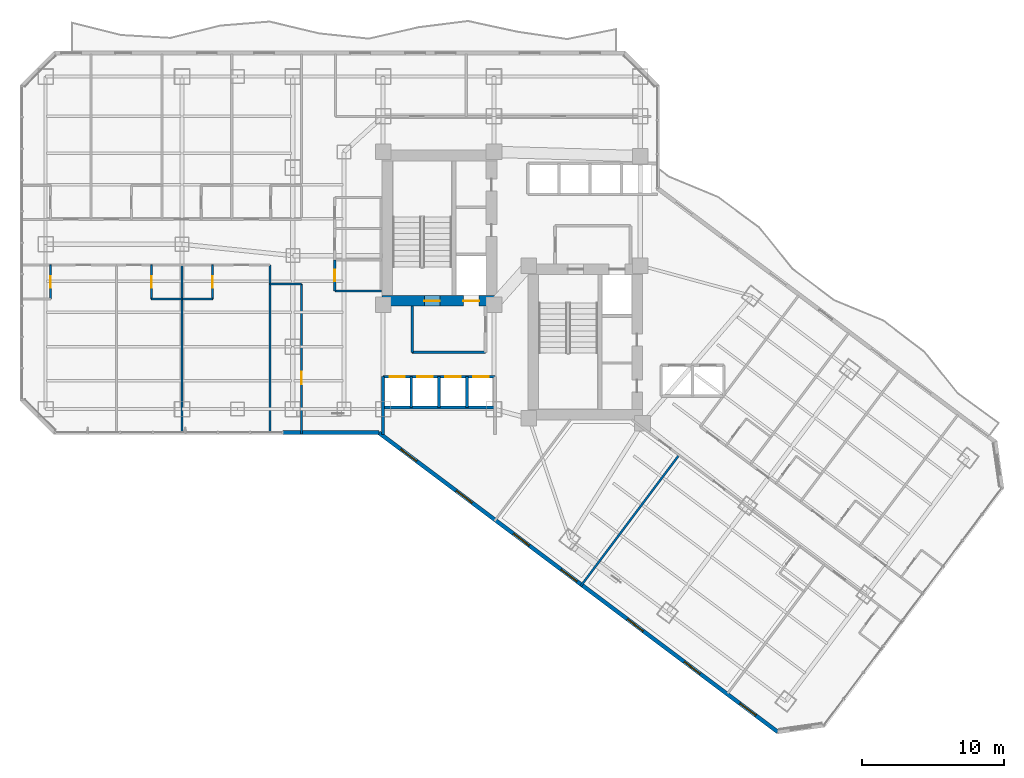
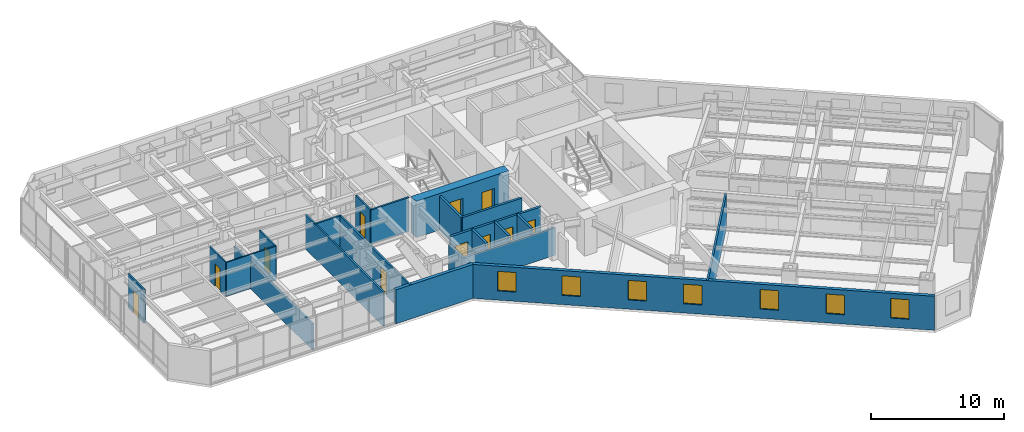
# One storey, part 22 of 32: 23 walls, 11 doors, 7 windows, 18 openings.
"""IFC4 building model written with IfcOpenShell, lengths in metres."""

import ifcopenshell
import ifcopenshell.guid

model = None  # the IFC model being written
_history = None  # IfcOwnerHistory: only IFC2X3 demands one
_inside = {}  # id of a spatial element -> (the spatial element, [elements in it])
_under = {}  # id of a project, library or spatial element -> (it, [spatial elements below it])
_declared = {}  # id of a project -> (the project, [libraries it declares])
_typed = {}  # id of a type object -> (the type object, [elements of that type])
_made_of = {}  # id of a material, layer set ... -> (it, [elements and type objects made of it])


def new_model(schema):
    """Start an empty IFC model of exactly this schema.

    Asked for "IFC4X3", IfcOpenShell would pick the latest addendum, in which some entities
    have other attributes; the version numbers below select the first issue.
    IFC2X3 requires an IfcOwnerHistory on every rooted entity: one is made here for all.
    """
    global model, _history
    if schema == "IFC4X3":
        model = ifcopenshell.file(schema_version=(4, 3, 0, 0))
    else:
        model = ifcopenshell.file(schema=schema)
    _inside.clear()
    _under.clear()
    _declared.clear()
    _typed.clear()
    _made_of.clear()
    _history = None
    if model.schema == "IFC2X3":
        org = make("IfcOrganization", Name="unknown")
        user = make(
            "IfcPersonAndOrganization",
            ThePerson=make("IfcPerson", FamilyName="unknown"),
            TheOrganization=org,
        )
        app = make(
            "IfcApplication",
            ApplicationDeveloper=org,
            Version="unknown",
            ApplicationFullName="unknown",
            ApplicationIdentifier="unknown",
        )
        _history = make(
            "IfcOwnerHistory",
            OwningUser=user,
            OwningApplication=app,
            ChangeAction="ADDED",
            CreationDate=0,
        )
    return model


def make(cls, **values):
    """One entity of the class cls with the attributes given. An attribute that is None is left unset."""
    return model.create_entity(
        cls, **{name: value for name, value in values.items() if value is not None}
    )


def rooted(cls, **values):
    """An entity with a GlobalId (a new one), such as an element, a storey or a relation."""
    return make(cls, GlobalId=ifcopenshell.guid.new(), OwnerHistory=_history, **values)


def si_unit(unit_type, name, prefix=None):
    """IfcSIUnit, for example si_unit("LENGTHUNIT", "METRE", prefix="MILLI")."""
    return make("IfcSIUnit", UnitType=unit_type, Prefix=prefix, Name=name)


def assignment(units):
    """IfcUnitAssignment: the units of a project."""
    return None if units is None else make("IfcUnitAssignment", Units=units)


def point(xyz):
    """IfcCartesianPoint."""
    return None if xyz is None else make("IfcCartesianPoint", Coordinates=xyz)


def direction(xyz):
    """IfcDirection."""
    return None if xyz is None else make("IfcDirection", DirectionRatios=xyz)


def frame(location, z_axis=None, x_axis=None):
    """IfcAxis2Placement3D, a coordinate frame: its origin and axes. An axis left out is left unset."""
    return make(
        "IfcAxis2Placement3D",
        Location=point(location),
        Axis=direction(z_axis),
        RefDirection=direction(x_axis),
    )


def frame_2d(location, x_axis=None):
    """IfcAxis2Placement2D, a coordinate frame in the plane: its origin and x axis."""
    return make(
        "IfcAxis2Placement2D", Location=point(location), RefDirection=direction(x_axis)
    )


def origin():
    """The frame at (0, 0, 0) with its axes left unset."""
    return frame((0.0, 0.0, 0.0))


def place(relative_to, where):
    """IfcLocalPlacement: puts the frame where relative to a parent placement (None: the world)."""
    return make(
        "IfcLocalPlacement", PlacementRelTo=relative_to, RelativePlacement=where
    )


def context(
    kind, dimensions, precision=None, world=None, true_north=None, identifier=None
):
    """IfcGeometricRepresentationContext, for example the 3D "Model" context."""
    return make(
        "IfcGeometricRepresentationContext",
        ContextIdentifier=identifier,
        ContextType=kind,
        CoordinateSpaceDimension=dimensions,
        Precision=precision,
        WorldCoordinateSystem=world,
        TrueNorth=true_north,
    )


def subcontext(parent, identifier, kind, view, scale=None):
    """IfcGeometricRepresentationSubContext, for example "Body" below "Model"."""
    return make(
        "IfcGeometricRepresentationSubContext",
        ContextIdentifier=identifier,
        ContextType=kind,
        ParentContext=parent,
        TargetScale=scale,
        TargetView=view,
    )


def project(units=None, contexts=None):
    """IfcProject with its units and contexts."""
    return rooted(
        "IfcProject",
        Name="project",
        RepresentationContexts=contexts,
        UnitsInContext=assignment(units),
    )


def spatial(cls, under=None, at=None, **own):
    """A site, building, storey or space (cls), placed at a placement, below another one or the project."""
    s = rooted(cls, ObjectPlacement=at, **own)
    if under is not None:
        _under.setdefault(under.id(), (under, []))[1].append(s)
    return s


def profile(cls, at=None, kind="AREA", **sizes):
    """A parametric profile (cls). Its sizes go by their IFC names, for example OverallWidth=200.0."""
    return make(cls, ProfileType=kind, Position=at, **sizes)


def rectangle(**sizes):
    """IfcRectangleProfileDef."""
    return profile("IfcRectangleProfileDef", **sizes)


def extrude(swept, where, along, depth):
    """IfcExtrudedAreaSolid: the profile swept, set in the frame where, extruded along a direction by depth."""
    return make(
        "IfcExtrudedAreaSolid",
        SweptArea=swept,
        Position=where,
        ExtrudedDirection=direction(along),
        Depth=depth,
    )


def shape(context_of_items, identifier, shape_type, items):
    """IfcShapeRepresentation: the items that make up one representation, for example the "Body"."""
    return make(
        "IfcShapeRepresentation",
        ContextOfItems=context_of_items,
        RepresentationIdentifier=identifier,
        RepresentationType=shape_type,
        Items=items,
    )


def material(Name=None, Category=None):
    """IfcMaterial."""
    return make("IfcMaterial", Name=Name, Category=Category)


def layer(
    of_material, thickness, ventilated=None, Name=None, Category=None, Priority=None
):
    """IfcMaterialLayer: one layer of a wall or slab, of a material (None: an air gap)."""
    return make(
        "IfcMaterialLayer",
        Material=of_material,
        LayerThickness=thickness,
        IsVentilated=ventilated,
        Name=Name,
        Category=Category,
        Priority=Priority,
    )


def layer_set(layers, Name=None):
    """IfcMaterialLayerSet."""
    return make("IfcMaterialLayerSet", MaterialLayers=layers, LayerSetName=Name)


def made_of(thing, what):
    """Note that an element or type object is made of a material, layer set ...; save() writes the relation."""
    if what is not None:
        _made_of.setdefault(what.id(), (what, []))[1].append(thing)
    return thing


def type_object(cls, material=None, **own):
    """A type object (cls), such as IfcWallType, which elements share."""
    return made_of(rooted(cls, **own), material)


def element(
    cls,
    number,
    at=None,
    inside=None,
    cuts=None,
    type_object=None,
    material=None,
    context=None,
    identifier="Body",
    shape_type=None,
    held_by="IfcProductDefinitionShape",
    body=None,
    shapes=None,
    **own,
):
    """One element of the class cls, such as IfcWall. Its Tag is "e" and its number.

    at: its placement. inside: the storey or other place that contains it. cuts: it is an
    opening in that element (IfcRelVoidsElement). A single representation is given by context,
    identifier, shape_type and body (its items); several are given by shapes. held_by: the class
    of the entity that holds the representations. save() writes the other relations.
    """
    e = rooted(cls, Tag="e%d" % number, ObjectPlacement=at, **own)
    if body is not None:
        shapes = [shape(context, identifier, shape_type, body)]
    if shapes is not None:
        e.Representation = make(held_by, Representations=shapes)
    if inside is not None:
        _inside.setdefault(inside.id(), (inside, []))[1].append(e)
    if cuts is not None:
        rooted(
            "IfcRelVoidsElement", RelatingBuildingElement=cuts, RelatedOpeningElement=e
        )
    if type_object is not None:
        _typed.setdefault(type_object.id(), (type_object, []))[1].append(e)
    return made_of(e, material)


def fill(opening, filler):
    """IfcRelFillsElement: the door or window that sits in an opening."""
    return rooted(
        "IfcRelFillsElement",
        RelatingOpeningElement=opening,
        RelatedBuildingElement=filler,
    )


def aggregate(whole, parts):
    """IfcRelAggregates: a whole, such as a stair, and the parts it consists of."""
    return rooted("IfcRelAggregates", RelatingObject=whole, RelatedObjects=parts)


def save(model, path):
    """Write the relations noted so far, then the file.

    IfcRelAggregates (storeys below a building ...), IfcRelContainedInSpatialStructure (elements
    in a storey), IfcRelDefinesByType, IfcRelAssociatesMaterial and IfcRelDeclares: one each for
    every whole, place, type object, material and project.
    """
    for whole, parts in _under.values():
        aggregate(whole, parts)
    for where, things in _inside.values():
        rooted(
            "IfcRelContainedInSpatialStructure",
            RelatedElements=things,
            RelatingStructure=where,
        )
    for kind, things in _typed.values():
        rooted("IfcRelDefinesByType", RelatedObjects=things, RelatingType=kind)
    for what, things in _made_of.values():
        rooted("IfcRelAssociatesMaterial", RelatedObjects=things, RelatingMaterial=what)
    for by, libraries in _declared.values():
        rooted("IfcRelDeclares", RelatingContext=by, RelatedDefinitions=libraries)
    model.write(path)


model = new_model("IFC4")

# Units and contexts
model_context = context("Model", 3, precision=1e-05, world=origin(), true_north=direction((0.0, 1.0)))
body_context = subcontext(model_context, "Body", "Model", "MODEL_VIEW")
ifc_project = project(units=[si_unit("LENGTHUNIT", "METRE"), si_unit("AREAUNIT", "SQUARE_METRE"), si_unit("VOLUMEUNIT", "CUBIC_METRE"), si_unit("PLANEANGLEUNIT", "RADIAN"), si_unit("MASSUNIT", "GRAM", prefix="KILO")], contexts=[model_context])

# Site, building, storey
site_placement = place(None, origin())
site = spatial("IfcSite", under=ifc_project, at=site_placement, CompositionType="ELEMENT")
building_placement = place(site_placement, origin())
building = spatial("IfcBuilding", under=site, at=building_placement, Name="Hatsunagi Terrace Concourse", CompositionType="ELEMENT")
storey_placement = place(building_placement, frame((0.0, 0.0, 46.64990234375)))
storey = spatial("IfcBuildingStorey", under=building, at=storey_placement, Name="L11", CompositionType="ELEMENT", Elevation=46.64990234375)

# Wall, openings, doors
ifc_material_1 = material(Name="Concrete Fc60", Category="concrete")
ifc_layer_1 = layer(ifc_material_1, 0.75)
ifc_layer_set_1 = layer_set([ifc_layer_1], Name="CoreShearWall_Fc60_750")
wall_type_1 = type_object("IfcWallType", Name="CoreShearWall_Fc60_750", PredefinedType="SHEAR", material=ifc_layer_set_1)
wall_1_placement = place(storey_placement, frame((25.469970703125, 32.81494140625, 0.0), z_axis=(0.0, 0.0, 1.0), x_axis=(1.0, 0.0, 0.0)))
wall_1 = element("IfcWall", 1, at=wall_1_placement, inside=storey, type_object=wall_type_1, Name="Core A Shear Wall S L11", PredefinedType="SHEAR", context=body_context, shape_type="SweptSolid", body=[
    extrude(rectangle(XDim=8.080078125, YDim=0.75, at=frame_2d((4.0400390625, 0.0))), origin(), (0.0, 0.0, 1.0), 3.35009765625),
])
opening_1_placement = place(wall_1_placement, frame((2.97998046875, 0.0, 0.0)))
opening_1 = element("IfcOpeningElement", 2, at=opening_1_placement, cuts=wall_1, Name="Opening DR-110S", PredefinedType="OPENING", context=body_context, shape_type="SweptSolid", body=[
    extrude(rectangle(XDim=1.10009765625, YDim=2.199951171875, at=frame_2d((0.550048828125, 1.10009765625))), frame((0.0, 0.385009765625, 0.0), z_axis=(0.0, -1.0, 0.0), x_axis=(1.0, 0.0, 0.0)), (0.0, 0.0, 1.0), 0.77001953125),
])
opening_2_placement = place(wall_1_placement, frame((5.72998046875, 0.0, 0.0)))
opening_2 = element("IfcOpeningElement", 3, at=opening_2_placement, cuts=wall_1, Name="Opening LD-01", PredefinedType="OPENING", context=body_context, shape_type="SweptSolid", body=[
    extrude(rectangle(XDim=1.10009765625, YDim=2.14990234375, at=frame_2d((0.550048828125, 1.074951171875))), frame((0.0, 0.385009765625, 0.0), z_axis=(0.0, -1.0, 0.0), x_axis=(1.0, 0.0, 0.0)), (0.0, 0.0, 1.0), 0.77001953125),
])
ifc_material_2 = material(Name="Stainless steel", Category="steel")
door_type_1 = type_object("IfcDoorType", Name="LiftLandingDoor_LD01", OperationType="SLIDING_TO_LEFT", PredefinedType="USERDEFINED", material=ifc_material_2)
door_1_placement = place(opening_2_placement, origin())
door_1 = element("IfcDoor", 4, at=door_1_placement, inside=storey, type_object=door_type_1, Name="Lift landing door FF-01 L11", ObjectType="SLIDING_LANDING_DOOR", OperationType="SLIDING_TO_LEFT", OverallHeight=2.14990234375, OverallWidth=1.10009765625, PredefinedType="USERDEFINED", context=body_context, shape_type="SweptSolid", body=[
    extrude(rectangle(XDim=1.10009765625, YDim=2.14990234375, at=frame_2d((0.550048828125, 1.074951171875))), frame((0.0, 0.02490234375, 0.0), z_axis=(0.0, -1.0, 0.0), x_axis=(1.0, 0.0, 0.0)), (0.0, 0.0, 1.0), 0.050048828125),
])
fill(opening_2, door_1)
ifc_material_3 = material(Name="Painted steel", Category="steel")
door_type_2 = type_object("IfcDoorType", Name="StairFireDoor_EI60_1100", OperationType="NOTDEFINED", PredefinedType="DOOR", material=ifc_material_3)
door_2_placement = place(opening_1_placement, origin())
door_2 = element("IfcDoor", 5, at=door_2_placement, inside=storey, type_object=door_type_2, Name="Stair ST-A Exit Door L11", OperationType="SINGLE_SWING_LEFT", OverallHeight=2.199951171875, OverallWidth=1.10009765625, PredefinedType="DOOR", context=body_context, shape_type="SweptSolid", body=[
    extrude(rectangle(XDim=1.10009765625, YDim=2.199951171875, at=frame_2d((0.550048828125, 1.10009765625))), frame((0.0, 0.02490234375, 0.0), z_axis=(0.0, -1.0, 0.0), x_axis=(1.0, 0.0, 0.0)), (0.0, 0.0, 1.0), 0.050048828125),
])
fill(opening_1, door_2)

# Wall, opening, door
ifc_material_4 = material(Name="Acoustic mineral board", Category="gypsum")
ifc_layer_2 = layer(ifc_material_4, 0.1201171875)
ifc_layer_set_2 = layer_set([ifc_layer_2], Name="PartitionWall_EI30_120")
wall_type_2 = type_object("IfcWallType", Name="PartitionWall_EI30_120", PredefinedType="PARTITIONING", material=ifc_layer_set_2)
wall_2_placement = place(storey_placement, frame((2.14990234375, 32.949951171875, 0.0), z_axis=(0.0, 0.0, 1.0), x_axis=(0.0, 1.0, 0.0)))
wall_2 = element("IfcWall", 6, at=wall_2_placement, inside=storey, type_object=wall_type_2, Name="Interior Partition IW-L11-066", PredefinedType="PARTITIONING", context=body_context, shape_type="SweptSolid", body=[
    extrude(rectangle(XDim=2.400146484375, YDim=0.1201171875, at=frame_2d((1.2001953125, 0.0))), origin(), (0.0, 0.0, 1.0), 3.130126953125),
])
opening_3_placement = place(wall_2_placement, frame((0.800048828125, 0.0, 0.0)))
opening_3 = element("IfcOpeningElement", 7, at=opening_3_placement, cuts=wall_2, Name="Opening DR-080", PredefinedType="OPENING", context=body_context, shape_type="SweptSolid", body=[
    extrude(rectangle(XDim=0.800048828125, YDim=2.06005859375, at=frame_2d((0.39990234375, 1.030029296875))), frame((0.0, 0.070068359375, 0.0), z_axis=(0.0, -1.0, 0.0), x_axis=(1.0, 0.0, 0.0)), (0.0, 0.0, 1.0), 0.14013671875),
])
ifc_material_5 = material(Name="Hardwood timber", Category="wood")
door_type_3 = type_object("IfcDoorType", Name="BathroomDoor_800", OperationType="NOTDEFINED", PredefinedType="DOOR", material=ifc_material_5)
door_3_placement = place(opening_3_placement, origin())
door_3 = element("IfcDoor", 8, at=door_3_placement, inside=storey, type_object=door_type_3, Name="En-Suite Bathroom L11-S1 Door", OperationType="SINGLE_SWING_RIGHT", OverallHeight=2.06005859375, OverallWidth=0.800048828125, PredefinedType="DOOR", context=body_context, shape_type="SweptSolid", body=[
    extrude(rectangle(XDim=0.800048828125, YDim=2.06005859375, at=frame_2d((0.39990234375, 1.030029296875))), frame((0.0, 0.02490234375, 0.0), z_axis=(0.0, -1.0, 0.0), x_axis=(1.0, 0.0, 0.0)), (0.0, 0.0, 1.0), 0.050048828125),
])
fill(opening_3, door_3)

wall_3_placement = place(storey_placement, frame((9.25, 32.949951171875, 0.0), z_axis=(0.0, 0.0, 1.0), x_axis=(0.0, 1.0, 0.0)))
wall_3 = element("IfcWall", 9, at=wall_3_placement, inside=storey, type_object=wall_type_2, Name="Interior Partition IW-L11-071", PredefinedType="PARTITIONING", context=body_context, shape_type="SweptSolid", body=[
    extrude(rectangle(XDim=2.400146484375, YDim=0.1201171875, at=frame_2d((1.2001953125, 0.0))), origin(), (0.0, 0.0, 1.0), 3.130126953125),
])
opening_4_placement = place(wall_3_placement, frame((0.800048828125, 0.0, 0.0)))
opening_4 = element("IfcOpeningElement", 10, at=opening_4_placement, cuts=wall_3, Name="Opening DR-080", PredefinedType="OPENING", context=body_context, shape_type="SweptSolid", body=[
    extrude(rectangle(XDim=0.800048828125, YDim=2.06005859375, at=frame_2d((0.39990234375, 1.030029296875))), frame((0.0, 0.070068359375, 0.0), z_axis=(0.0, -1.0, 0.0), x_axis=(1.0, 0.0, 0.0)), (0.0, 0.0, 1.0), 0.14013671875),
])
door_4_placement = place(opening_4_placement, origin())
door_4 = element("IfcDoor", 11, at=door_4_placement, inside=storey, type_object=door_type_3, Name="En-Suite Bathroom L11-S2 Door", OperationType="SINGLE_SWING_LEFT", OverallHeight=2.06005859375, OverallWidth=0.800048828125, PredefinedType="DOOR", context=body_context, shape_type="SweptSolid", body=[
    extrude(rectangle(XDim=0.800048828125, YDim=2.06005859375, at=frame_2d((0.39990234375, 1.030029296875))), frame((0.0, 0.02490234375, 0.0), z_axis=(0.0, -1.0, 0.0), x_axis=(1.0, 0.0, 0.0)), (0.0, 0.0, 1.0), 0.050048828125),
])
fill(opening_4, door_4)

# Wall
wall_4_placement = place(storey_placement, frame((9.25, 32.949951171875, 0.0), z_axis=(0.0, 0.0, 1.0), x_axis=(1.0, 0.0, 0.0)))
element("IfcWall", 12, at=wall_4_placement, inside=storey, type_object=wall_type_2, Name="Interior Partition IW-L11-072", PredefinedType="PARTITIONING", context=body_context, shape_type="SweptSolid", body=[
    extrude(rectangle(XDim=2.14990234375, YDim=0.1201171875, at=frame_2d((1.074951171875, 0.0))), origin(), (0.0, 0.0, 1.0), 3.130126953125),
])

# Wall, opening, door
wall_5_placement = place(storey_placement, frame((13.550048828125, 32.949951171875, 0.0), z_axis=(0.0, 0.0, 1.0), x_axis=(0.0, 1.0, 0.0)))
wall_5 = element("IfcWall", 13, at=wall_5_placement, inside=storey, type_object=wall_type_2, Name="Interior Partition IW-L11-076", PredefinedType="PARTITIONING", context=body_context, shape_type="SweptSolid", body=[
    extrude(rectangle(XDim=2.400146484375, YDim=0.1201171875, at=frame_2d((1.2001953125, 0.0))), origin(), (0.0, 0.0, 1.0), 3.130126953125),
])
opening_5_placement = place(wall_5_placement, frame((0.800048828125, 0.0, 0.0)))
opening_5 = element("IfcOpeningElement", 14, at=opening_5_placement, cuts=wall_5, Name="Opening DR-080", PredefinedType="OPENING", context=body_context, shape_type="SweptSolid", body=[
    extrude(rectangle(XDim=0.800048828125, YDim=2.06005859375, at=frame_2d((0.39990234375, 1.030029296875))), frame((0.0, 0.070068359375, 0.0), z_axis=(0.0, -1.0, 0.0), x_axis=(1.0, 0.0, 0.0)), (0.0, 0.0, 1.0), 0.14013671875),
])
door_5_placement = place(opening_5_placement, origin())
door_5 = element("IfcDoor", 15, at=door_5_placement, inside=storey, type_object=door_type_3, Name="En-Suite Bathroom L11-S3 Door", OperationType="SINGLE_SWING_RIGHT", OverallHeight=2.06005859375, OverallWidth=0.800048828125, PredefinedType="DOOR", context=body_context, shape_type="SweptSolid", body=[
    extrude(rectangle(XDim=0.800048828125, YDim=2.06005859375, at=frame_2d((0.39990234375, 1.030029296875))), frame((0.0, 0.02490234375, 0.0), z_axis=(0.0, -1.0, 0.0), x_axis=(1.0, 0.0, 0.0)), (0.0, 0.0, 1.0), 0.050048828125),
])
fill(opening_5, door_5)

# Walls
wall_6_placement = place(storey_placement, frame((11.39990234375, 32.949951171875, 0.0), z_axis=(0.0, 0.0, 1.0), x_axis=(1.0, 0.0, 0.0)))
element("IfcWall", 16, at=wall_6_placement, inside=storey, type_object=wall_type_2, Name="Interior Partition IW-L11-077", PredefinedType="PARTITIONING", context=body_context, shape_type="SweptSolid", body=[
    extrude(rectangle(XDim=2.150146484375, YDim=0.1201171875, at=frame_2d((1.0751953125, 0.0))), origin(), (0.0, 0.0, 1.0), 3.130126953125),
])
ifc_material_6 = material(Name="Acoustic mineral board", Category="gypsum")
ifc_layer_3 = layer(ifc_material_6, 0.14990234375)
ifc_layer_set_3 = layer_set([ifc_layer_3], Name="PartitionWall_EI60_150")
wall_type_3 = type_object("IfcWallType", Name="PartitionWall_EI60_150", PredefinedType="PARTITIONING", material=ifc_layer_set_3)
wall_7_placement = place(storey_placement, frame((22.14990234375, 33.5, 0.0), z_axis=(0.0, 0.0, 1.0), x_axis=(1.0, 0.0, 0.0)))
element("IfcWall", 17, at=wall_7_placement, inside=storey, type_object=wall_type_3, Name="Interior Partition IW-L11-029", PredefinedType="PARTITIONING", context=body_context, shape_type="SweptSolid", body=[
    extrude(rectangle(XDim=3.300048828125, YDim=0.14990234375, at=frame_2d((1.64990234375, 0.0))), origin(), (0.0, 0.0, 1.0), 3.130126953125),
])

# Wall, opening, door
wall_8_placement = place(storey_placement, frame((22.14990234375, 33.5, 0.0), z_axis=(0.0, 0.0, 1.0), x_axis=(0.0, 1.0, 0.0)))
wall_8 = element("IfcWall", 18, at=wall_8_placement, inside=storey, type_object=wall_type_3, Name="Interior Partition IW-L11-034", PredefinedType="PARTITIONING", context=body_context, shape_type="SweptSolid", body=[
    extrude(rectangle(XDim=2.199951171875, YDim=0.14990234375, at=frame_2d((1.10009765625, 0.0))), origin(), (0.0, 0.0, 1.0), 3.130126953125),
])
opening_6_placement = place(wall_8_placement, frame((0.699951171875, 0.0, 0.0)))
opening_6 = element("IfcOpeningElement", 19, at=opening_6_placement, cuts=wall_8, Name="Opening DR-080", PredefinedType="OPENING", context=body_context, shape_type="SweptSolid", body=[
    extrude(rectangle(XDim=0.800048828125, YDim=2.06005859375, at=frame_2d((0.39990234375, 1.030029296875))), frame((0.0, 0.0849609375, 0.0), z_axis=(0.0, -1.0, 0.0), x_axis=(1.0, 0.0, 0.0)), (0.0, 0.0, 1.0), 0.169921875),
])
door_6_placement = place(opening_6_placement, origin())
door_6 = element("IfcDoor", 20, at=door_6_placement, inside=storey, type_object=door_type_3, Name="Accessible WC Door L11", OperationType="SINGLE_SWING_RIGHT", OverallHeight=2.06005859375, OverallWidth=0.800048828125, PredefinedType="DOOR", context=body_context, shape_type="SweptSolid", body=[
    extrude(rectangle(XDim=0.800048828125, YDim=2.06005859375, at=frame_2d((0.39990234375, 1.030029296875))), frame((0.0, 0.02490234375, 0.0), z_axis=(0.0, -1.0, 0.0), x_axis=(1.0, 0.0, 0.0)), (0.0, 0.0, 1.0), 0.050048828125),
])
fill(opening_6, door_6)

# Walls
wall_9_placement = place(storey_placement, frame((39.464111328125, 12.751953125, 0.0), z_axis=(0.0, 0.0, 1.0), x_axis=(0.6, 0.8, 0.0)))
element("IfcWall", 21, at=wall_9_placement, inside=storey, type_object=wall_type_3, Name="Interior Partition IW-L11-043", PredefinedType="PARTITIONING", context=body_context, shape_type="SweptSolid", body=[
    extrude(rectangle(XDim=11.510009765625, YDim=0.14990234375, at=frame_2d((5.7548828125, 0.0))), origin(), (0.0, 0.0, 1.0), 3.130126953125),
])
wall_10_placement = place(storey_placement, frame((11.39990234375, 23.60009765625, 0.0), z_axis=(0.0, 0.0, 1.0), x_axis=(0.0, 1.0, 0.0)))
element("IfcWall", 22, at=wall_10_placement, inside=storey, type_object=wall_type_3, Name="Interior Partition IW-L11-073", PredefinedType="PARTITIONING", context=body_context, shape_type="SweptSolid", body=[
    extrude(rectangle(XDim=11.75, YDim=0.14990234375, at=frame_2d((5.875, 0.0))), origin(), (0.0, 0.0, 1.0), 2.425048828125),
])
wall_11_placement = place(storey_placement, frame((17.60009765625, 23.60009765625, 0.0), z_axis=(0.0, 0.0, 1.0), x_axis=(0.0, 1.0, 0.0)))
element("IfcWall", 23, at=wall_11_placement, inside=storey, type_object=wall_type_3, Name="Interior Partition IW-L11-078", PredefinedType="PARTITIONING", context=body_context, shape_type="SweptSolid", body=[
    extrude(rectangle(XDim=11.75, YDim=0.14990234375, at=frame_2d((5.875, 0.0))), origin(), (0.0, 0.0, 1.0), 3.130126953125),
])
wall_12_placement = place(storey_placement, frame((17.60009765625, 34.0, 0.0), z_axis=(0.0, 0.0, 1.0), x_axis=(1.0, 0.0, 0.0)))
element("IfcWall", 24, at=wall_12_placement, inside=storey, type_object=wall_type_3, Name="Interior Partition IW-L11-079", PredefinedType="PARTITIONING", context=body_context, shape_type="SweptSolid", body=[
    extrude(rectangle(XDim=2.199951171875, YDim=0.14990234375, at=frame_2d((1.10009765625, 0.0))), origin(), (0.0, 0.0, 1.0), 3.130126953125),
])

# Wall, opening, door
wall_13_placement = place(storey_placement, frame((19.800048828125, 23.43994140625, 0.0), z_axis=(0.0, 0.0, 1.0), x_axis=(0.0, 1.0, 0.0)))
wall_13 = element("IfcWall", 25, at=wall_13_placement, inside=storey, type_object=wall_type_3, Name="Interior Partition IW-L11-080", PredefinedType="PARTITIONING", context=body_context, shape_type="SweptSolid", body=[
    extrude(rectangle(XDim=10.56005859375, YDim=0.14990234375, at=frame_2d((5.280029296875, 0.0))), origin(), (0.0, 0.0, 1.0), 3.130126953125),
])
opening_7_placement = place(wall_13_placement, frame((3.4951171875, 0.0, 0.0)))
opening_7 = element("IfcOpeningElement", 26, at=opening_7_placement, cuts=wall_13, Name="Opening DR-090", PredefinedType="OPENING", context=body_context, shape_type="SweptSolid", body=[
    extrude(rectangle(XDim=0.89990234375, YDim=2.14990234375, at=frame_2d((0.449951171875, 1.074951171875))), frame((0.0, 0.0849609375, 0.0), z_axis=(0.0, -1.0, 0.0), x_axis=(1.0, 0.0, 0.0)), (0.0, 0.0, 1.0), 0.169921875),
])
ifc_material_7 = material(Name="Hardwood timber", Category="wood")
door_type_4 = type_object("IfcDoorType", Name="CrownPavilionDoor_EI30_900", OperationType="NOTDEFINED", PredefinedType="DOOR", material=ifc_material_7)
door_7_placement = place(opening_7_placement, origin())
door_7 = element("IfcDoor", 27, at=door_7_placement, inside=storey, type_object=door_type_4, Name="Catering Pantry L11-HPAN Door", OperationType="SINGLE_SWING_RIGHT", OverallHeight=2.14990234375, OverallWidth=0.89990234375, PredefinedType="DOOR", context=body_context, shape_type="SweptSolid", body=[
    extrude(rectangle(XDim=0.89990234375, YDim=2.14990234375, at=frame_2d((0.449951171875, 1.074951171875))), frame((0.0, 0.02490234375, 0.0), z_axis=(0.0, -1.0, 0.0), x_axis=(1.0, 0.0, 0.0)), (0.0, 0.0, 1.0), 0.050048828125),
])
fill(opening_7, door_7)

# Walls
ifc_material_8 = material(Name="Acoustic mineral board", Category="gypsum")
ifc_layer_4 = layer(ifc_material_8, 0.199951171875)
ifc_layer_set_4 = layer_set([ifc_layer_4], Name="ShaftWall_EI120_200")
wall_type_4 = type_object("IfcWallType", Name="ShaftWall_EI120_200", PredefinedType="STANDARD", material=ifc_layer_set_4)
wall_14_placement = place(storey_placement, frame((27.60009765625, 29.199951171875, 0.0), z_axis=(0.0, 0.0, 1.0), x_axis=(1.0, 0.0, 0.0)))
element("IfcWall", 28, at=wall_14_placement, inside=storey, type_object=wall_type_4, Name="Interior Partition IW-L11-005", PredefinedType="STANDARD", context=body_context, shape_type="SweptSolid", body=[
    extrude(rectangle(XDim=5.14990234375, YDim=0.199951171875, at=frame_2d((2.574951171875, 0.0))), origin(), (0.0, 0.0, 1.0), 3.130126953125),
])
wall_15_placement = place(storey_placement, frame((27.60009765625, 29.199951171875, 0.0), z_axis=(0.0, 0.0, 1.0), x_axis=(0.0, 1.0, 0.0)))
element("IfcWall", 29, at=wall_15_placement, inside=storey, type_object=wall_type_4, Name="Interior Partition IW-L11-006", PredefinedType="STANDARD", context=body_context, shape_type="SweptSolid", body=[
    extrude(rectangle(XDim=3.239990234375, YDim=0.199951171875, at=frame_2d((1.6201171875, 0.0))), origin(), (0.0, 0.0, 1.0), 3.130126953125),
])
wall_16_placement = place(storey_placement, frame((25.550048828125, 23.39990234375, 0.0), z_axis=(0.0, 0.0, 1.0), x_axis=(0.0, 1.0, 0.0)))
element("IfcWall", 30, at=wall_16_placement, inside=storey, type_object=wall_type_4, Name="Interior Partition IW-L11-011", PredefinedType="STANDARD", context=body_context, shape_type="SweptSolid", body=[
    extrude(rectangle(XDim=4.080078125, YDim=0.199951171875, at=frame_2d((2.0400390625, 0.0))), origin(), (0.0, 0.0, 1.0), 2.425048828125),
])
wall_17_placement = place(storey_placement, frame((25.550048828125, 25.320068359375, 0.0), z_axis=(0.0, 0.0, 1.0), x_axis=(1.0, 0.0, 0.0)))
element("IfcWall", 31, at=wall_17_placement, inside=storey, type_object=wall_type_4, Name="Interior Partition IW-L11-013", PredefinedType="STANDARD", context=body_context, shape_type="SweptSolid", body=[
    extrude(rectangle(XDim=7.8798828125, YDim=0.199951171875, at=frame_2d((3.93994140625, 0.0))), origin(), (0.0, 0.0, 1.0), 2.525146484375),
])
for number, where, z_axis, x_axis, name in (
    (32, (27.530029296875, 25.320068359375, 0.0), (0.0, 0.0, 1.0), (0.0, 1.0, 0.0), "Interior Partition IW-L11-014"),
    (33, (29.489990234375, 25.320068359375, 0.0), (0.0, 0.0, 1.0), (0.0, 1.0, 0.0), "Interior Partition IW-L11-015"),
    (34, (31.449951171875, 25.320068359375, 0.0), (0.0, 0.0, 1.0), (0.0, 1.0, 0.0), "Interior Partition IW-L11-016"),
):
    element("IfcWall", number, at=place(storey_placement, frame(where, z_axis=z_axis, x_axis=x_axis)), inside=storey, type_object=wall_type_4, Name=name, PredefinedType="STANDARD", context=body_context, shape_type="SweptSolid", body=[
        extrude(rectangle(XDim=2.159912109375, YDim=0.199951171875, at=frame_2d((1.080078125, 0.0))), origin(), (0.0, 0.0, 1.0), 3.130126953125),
    ])

# Wall, openings, doors
wall_18_placement = place(storey_placement, frame((25.550048828125, 27.47998046875, 0.0), z_axis=(0.0, 0.0, 1.0), x_axis=(1.0, 0.0, 0.0)))
wall_18 = element("IfcWall", 35, at=wall_18_placement, inside=storey, type_object=wall_type_4, Name="Interior Partition IW-L11-017", PredefinedType="STANDARD", context=body_context, shape_type="SweptSolid", body=[
    extrude(rectangle(XDim=7.8798828125, YDim=0.199951171875, at=frame_2d((3.93994140625, 0.0))), origin(), (0.0, 0.0, 1.0), 3.130126953125),
])
opening_8_placement = place(wall_18_placement, frame((0.4599609375, 0.0, 0.0)))
opening_8 = element("IfcOpeningElement", 36, at=opening_8_placement, cuts=wall_18, Name="Opening LD-03", PredefinedType="OPENING", context=body_context, shape_type="SweptSolid", body=[
    extrude(rectangle(XDim=1.080078125, YDim=2.14990234375, at=frame_2d((0.5400390625, 1.074951171875))), frame((0.0, 0.10986328125, 0.0), z_axis=(0.0, -1.0, 0.0), x_axis=(1.0, 0.0, 0.0)), (0.0, 0.0, 1.0), 0.219970703125),
])
opening_9_placement = place(wall_18_placement, frame((2.419921875, 0.0, 0.0)))
opening_9 = element("IfcOpeningElement", 37, at=opening_9_placement, cuts=wall_18, Name="Opening LD-03", PredefinedType="OPENING", context=body_context, shape_type="SweptSolid", body=[
    extrude(rectangle(XDim=1.080078125, YDim=2.14990234375, at=frame_2d((0.5400390625, 1.074951171875))), frame((0.0, 0.10986328125, 0.0), z_axis=(0.0, -1.0, 0.0), x_axis=(1.0, 0.0, 0.0)), (0.0, 0.0, 1.0), 0.219970703125),
])
opening_10_placement = place(wall_18_placement, frame((4.3798828125, 0.0, 0.0)))
opening_10 = element("IfcOpeningElement", 38, at=opening_10_placement, cuts=wall_18, Name="Opening LD-03", PredefinedType="OPENING", context=body_context, shape_type="SweptSolid", body=[
    extrude(rectangle(XDim=1.080078125, YDim=2.14990234375, at=frame_2d((0.5400390625, 1.074951171875))), frame((0.0, 0.10986328125, 0.0), z_axis=(0.0, -1.0, 0.0), x_axis=(1.0, 0.0, 0.0)), (0.0, 0.0, 1.0), 0.219970703125),
])
opening_11_placement = place(wall_18_placement, frame((6.340087890625, 0.0, 0.0)))
opening_11 = element("IfcOpeningElement", 39, at=opening_11_placement, cuts=wall_18, Name="Opening LD-03", PredefinedType="OPENING", context=body_context, shape_type="SweptSolid", body=[
    extrude(rectangle(XDim=1.080078125, YDim=2.14990234375, at=frame_2d((0.5400390625, 1.074951171875))), frame((0.0, 0.10986328125, 0.0), z_axis=(0.0, -1.0, 0.0), x_axis=(1.0, 0.0, 0.0)), (0.0, 0.0, 1.0), 0.219970703125),
])
ifc_material_9 = material(Name="Stainless steel", Category="steel")
door_type_5 = type_object("IfcDoorType", Name="LiftLandingDoor_LD03", OperationType="SLIDING_TO_LEFT", PredefinedType="USERDEFINED", material=ifc_material_9)
door_8_placement = place(opening_8_placement, origin())
door_8 = element("IfcDoor", 40, at=door_8_placement, inside=storey, type_object=door_type_5, Name="Lift landing door PL-01 L11", ObjectType="SLIDING_LANDING_DOOR", OperationType="SLIDING_TO_LEFT", OverallHeight=2.14990234375, OverallWidth=1.080078125, PredefinedType="USERDEFINED", context=body_context, shape_type="SweptSolid", body=[
    extrude(rectangle(XDim=1.080078125, YDim=2.14990234375, at=frame_2d((0.5400390625, 1.074951171875))), frame((0.0, 0.02490234375, 0.0), z_axis=(0.0, -1.0, 0.0), x_axis=(1.0, 0.0, 0.0)), (0.0, 0.0, 1.0), 0.050048828125),
])
fill(opening_8, door_8)
door_9_placement = place(opening_9_placement, origin())
door_9 = element("IfcDoor", 41, at=door_9_placement, inside=storey, type_object=door_type_5, Name="Lift landing door PL-02 L11", ObjectType="SLIDING_LANDING_DOOR", OperationType="SLIDING_TO_LEFT", OverallHeight=2.14990234375, OverallWidth=1.080078125, PredefinedType="USERDEFINED", context=body_context, shape_type="SweptSolid", body=[
    extrude(rectangle(XDim=1.080078125, YDim=2.14990234375, at=frame_2d((0.5400390625, 1.074951171875))), frame((0.0, 0.02490234375, 0.0), z_axis=(0.0, -1.0, 0.0), x_axis=(1.0, 0.0, 0.0)), (0.0, 0.0, 1.0), 0.050048828125),
])
fill(opening_9, door_9)
door_10_placement = place(opening_10_placement, origin())
door_10 = element("IfcDoor", 42, at=door_10_placement, inside=storey, type_object=door_type_5, Name="Lift landing door PL-03 L11", ObjectType="SLIDING_LANDING_DOOR", OperationType="SLIDING_TO_LEFT", OverallHeight=2.14990234375, OverallWidth=1.080078125, PredefinedType="USERDEFINED", context=body_context, shape_type="SweptSolid", body=[
    extrude(rectangle(XDim=1.080078125, YDim=2.14990234375, at=frame_2d((0.5400390625, 1.074951171875))), frame((0.0, 0.02490234375, 0.0), z_axis=(0.0, -1.0, 0.0), x_axis=(1.0, 0.0, 0.0)), (0.0, 0.0, 1.0), 0.050048828125),
])
fill(opening_10, door_10)
door_11_placement = place(opening_11_placement, origin())
door_11 = element("IfcDoor", 43, at=door_11_placement, inside=storey, type_object=door_type_5, Name="Lift landing door PL-04 L11", ObjectType="SLIDING_LANDING_DOOR", OperationType="SLIDING_TO_LEFT", OverallHeight=2.14990234375, OverallWidth=1.080078125, PredefinedType="USERDEFINED", context=body_context, shape_type="SweptSolid", body=[
    extrude(rectangle(XDim=1.080078125, YDim=2.14990234375, at=frame_2d((0.5400390625, 1.074951171875))), frame((0.0, 0.02490234375, 0.0), z_axis=(0.0, -1.0, 0.0), x_axis=(1.0, 0.0, 0.0)), (0.0, 0.0, 1.0), 0.050048828125),
])
fill(opening_11, door_11)

# Wall, openings, windows
ifc_material_10 = material(Name="Autoclaved Lightweight Concrete and Terracotta Cladding", Category="masonry")
ifc_layer_5 = layer(ifc_material_10, 0.280029296875)
ifc_layer_set_5 = layer_set([ifc_layer_5], Name="TerracottaSpandrelWall_280")
wall_type_5 = type_object("IfcWallType", Name="TerracottaSpandrelWall_280", PredefinedType="STANDARD", material=ifc_layer_set_5)
wall_19_placement = place(storey_placement, frame((53.318115234375, 2.487060546875, 0.0), z_axis=(0.0, 0.0, 1.0), x_axis=(-0.800004174678, 0.599994433723, 0.0)))
wall_19 = element("IfcWall", 44, at=wall_19_placement, inside=storey, type_object=wall_type_5, Name="Exterior Spandrel Wall EW-L11-05", PredefinedType="STANDARD", context=body_context, shape_type="SweptSolid", body=[
    extrude(rectangle(XDim=35.088623046875, YDim=0.280029296875, at=frame_2d((17.54443359375, 0.0))), origin(), (0.0, 0.0, 1.0), 3.130126953125),
])
opening_12_placement = place(wall_19_placement, frame((1.930908203125, 0.0, 0.85009765625)))
opening_12 = element("IfcOpeningElement", 45, at=opening_12_placement, cuts=wall_19, Name="Opening WIN-02", PredefinedType="OPENING", context=body_context, shape_type="SweptSolid", body=[
    extrude(rectangle(XDim=1.39990234375, YDim=1.800048828125, at=frame_2d((0.699951171875, 0.89990234375))), frame((0.0, 0.14990234375, 0.0), z_axis=(0.0, -1.0, 0.0), x_axis=(1.0, 0.0, 0.0)), (0.0, 0.0, 1.0), 0.300048828125),
])
opening_13_placement = place(wall_19_placement, frame((6.819091796875, 0.0, 0.85009765625)))
opening_13 = element("IfcOpeningElement", 46, at=opening_13_placement, cuts=wall_19, Name="Opening WIN-02", PredefinedType="OPENING", context=body_context, shape_type="SweptSolid", body=[
    extrude(rectangle(XDim=1.39990234375, YDim=1.800048828125, at=frame_2d((0.699951171875, 0.89990234375))), frame((0.0, 0.14990234375, 0.0), z_axis=(0.0, -1.0, 0.0), x_axis=(1.0, 0.0, 0.0)), (0.0, 0.0, 1.0), 0.300048828125),
])
opening_14_placement = place(wall_19_placement, frame((11.83203125, 0.0, 0.85009765625)))
opening_14 = element("IfcOpeningElement", 47, at=opening_14_placement, cuts=wall_19, Name="Opening WIN-02", PredefinedType="OPENING", context=body_context, shape_type="SweptSolid", body=[
    extrude(rectangle(XDim=1.39990234375, YDim=1.800048828125, at=frame_2d((0.699951171875, 0.89990234375))), frame((0.0, 0.14990234375, 0.0), z_axis=(0.0, -1.0, 0.0), x_axis=(1.0, 0.0, 0.0)), (0.0, 0.0, 1.0), 0.300048828125),
])
opening_15_placement = place(wall_19_placement, frame((17.64697265625, 0.0, 0.85009765625)))
opening_15 = element("IfcOpeningElement", 48, at=opening_15_placement, cuts=wall_19, Name="Opening WIN-02", PredefinedType="OPENING", context=body_context, shape_type="SweptSolid", body=[
    extrude(rectangle(XDim=1.39990234375, YDim=1.800048828125, at=frame_2d((0.699951171875, 0.89990234375))), frame((0.0, 0.14990234375, 0.0), z_axis=(0.0, -1.0, 0.0), x_axis=(1.0, 0.0, 0.0)), (0.0, 0.0, 1.0), 0.300048828125),
])
opening_16_placement = place(wall_19_placement, frame((21.85693359375, 0.0, 0.85009765625)))
opening_16 = element("IfcOpeningElement", 49, at=opening_16_placement, cuts=wall_19, Name="Opening WIN-02", PredefinedType="OPENING", context=body_context, shape_type="SweptSolid", body=[
    extrude(rectangle(XDim=1.39990234375, YDim=1.800048828125, at=frame_2d((0.699951171875, 0.89990234375))), frame((0.0, 0.14990234375, 0.0), z_axis=(0.0, -1.0, 0.0), x_axis=(1.0, 0.0, 0.0)), (0.0, 0.0, 1.0), 0.300048828125),
])
opening_17_placement = place(wall_19_placement, frame((26.8701171875, 0.0, 0.85009765625)))
opening_17 = element("IfcOpeningElement", 50, at=opening_17_placement, cuts=wall_19, Name="Opening WIN-02", PredefinedType="OPENING", context=body_context, shape_type="SweptSolid", body=[
    extrude(rectangle(XDim=1.39990234375, YDim=1.800048828125, at=frame_2d((0.699951171875, 0.89990234375))), frame((0.0, 0.14990234375, 0.0), z_axis=(0.0, -1.0, 0.0), x_axis=(1.0, 0.0, 0.0)), (0.0, 0.0, 1.0), 0.300048828125),
])
opening_18_placement = place(wall_19_placement, frame((31.757080078125, 0.0, 0.85009765625)))
opening_18 = element("IfcOpeningElement", 51, at=opening_18_placement, cuts=wall_19, Name="Opening WIN-02", PredefinedType="OPENING", context=body_context, shape_type="SweptSolid", body=[
    extrude(rectangle(XDim=1.39990234375, YDim=1.800048828125, at=frame_2d((0.699951171875, 0.89990234375))), frame((0.0, 0.14990234375, 0.0), z_axis=(0.0, -1.0, 0.0), x_axis=(1.0, 0.0, 0.0)), (0.0, 0.0, 1.0), 0.300048828125),
])
ifc_material_11 = material(Name="Thermally Broken Aluminium and Low-E Triple Glazing", Category="aluminium")
window_type = type_object("IfcWindowType", Name="HotelOperableVentWindow_1400x1800", PartitioningType="DOUBLE_PANEL_VERTICAL", PredefinedType="WINDOW", material=ifc_material_11)
window_1_placement = place(opening_12_placement, origin())
window_1 = element("IfcWindow", 52, at=window_1_placement, inside=storey, type_object=window_type, Name="Hotel Perimeter Window L11-05-1", OverallHeight=1.800048828125, OverallWidth=1.39990234375, PartitioningType="SINGLE_PANEL", PredefinedType="WINDOW", context=body_context, shape_type="SweptSolid", body=[
    extrude(rectangle(XDim=1.39990234375, YDim=1.800048828125, at=frame_2d((0.699951171875, 0.89990234375))), frame((0.0, 0.030029296875, 0.0), z_axis=(0.0, -1.0, 0.0), x_axis=(1.0, 0.0, 0.0)), (0.0, 0.0, 1.0), 0.06005859375),
])
fill(opening_12, window_1)
window_2_placement = place(opening_13_placement, origin())
window_2 = element("IfcWindow", 53, at=window_2_placement, inside=storey, type_object=window_type, Name="Hotel Perimeter Window L11-05-2", OverallHeight=1.800048828125, OverallWidth=1.39990234375, PartitioningType="SINGLE_PANEL", PredefinedType="WINDOW", context=body_context, shape_type="SweptSolid", body=[
    extrude(rectangle(XDim=1.39990234375, YDim=1.800048828125, at=frame_2d((0.699951171875, 0.89990234375))), frame((0.0, 0.030029296875, 0.0), z_axis=(0.0, -1.0, 0.0), x_axis=(1.0, 0.0, 0.0)), (0.0, 0.0, 1.0), 0.06005859375),
])
fill(opening_13, window_2)
window_3_placement = place(opening_14_placement, origin())
window_3 = element("IfcWindow", 54, at=window_3_placement, inside=storey, type_object=window_type, Name="Hotel Perimeter Window L11-05-3", OverallHeight=1.800048828125, OverallWidth=1.39990234375, PartitioningType="SINGLE_PANEL", PredefinedType="WINDOW", context=body_context, shape_type="SweptSolid", body=[
    extrude(rectangle(XDim=1.39990234375, YDim=1.800048828125, at=frame_2d((0.699951171875, 0.89990234375))), frame((0.0, 0.030029296875, 0.0), z_axis=(0.0, -1.0, 0.0), x_axis=(1.0, 0.0, 0.0)), (0.0, 0.0, 1.0), 0.06005859375),
])
fill(opening_14, window_3)
window_4_placement = place(opening_15_placement, origin())
window_4 = element("IfcWindow", 55, at=window_4_placement, inside=storey, type_object=window_type, Name="Hotel Perimeter Window L11-05-4", OverallHeight=1.800048828125, OverallWidth=1.39990234375, PartitioningType="SINGLE_PANEL", PredefinedType="WINDOW", context=body_context, shape_type="SweptSolid", body=[
    extrude(rectangle(XDim=1.39990234375, YDim=1.800048828125, at=frame_2d((0.699951171875, 0.89990234375))), frame((0.0, 0.030029296875, 0.0), z_axis=(0.0, -1.0, 0.0), x_axis=(1.0, 0.0, 0.0)), (0.0, 0.0, 1.0), 0.06005859375),
])
fill(opening_15, window_4)
window_5_placement = place(opening_16_placement, origin())
window_5 = element("IfcWindow", 56, at=window_5_placement, inside=storey, type_object=window_type, Name="Hotel Perimeter Window L11-05-5", OverallHeight=1.800048828125, OverallWidth=1.39990234375, PartitioningType="SINGLE_PANEL", PredefinedType="WINDOW", context=body_context, shape_type="SweptSolid", body=[
    extrude(rectangle(XDim=1.39990234375, YDim=1.800048828125, at=frame_2d((0.699951171875, 0.89990234375))), frame((0.0, 0.030029296875, 0.0), z_axis=(0.0, -1.0, 0.0), x_axis=(1.0, 0.0, 0.0)), (0.0, 0.0, 1.0), 0.06005859375),
])
fill(opening_16, window_5)
window_6_placement = place(opening_17_placement, origin())
window_6 = element("IfcWindow", 57, at=window_6_placement, inside=storey, type_object=window_type, Name="Hotel Perimeter Window L11-05-6", OverallHeight=1.800048828125, OverallWidth=1.39990234375, PartitioningType="SINGLE_PANEL", PredefinedType="WINDOW", context=body_context, shape_type="SweptSolid", body=[
    extrude(rectangle(XDim=1.39990234375, YDim=1.800048828125, at=frame_2d((0.699951171875, 0.89990234375))), frame((0.0, 0.030029296875, 0.0), z_axis=(0.0, -1.0, 0.0), x_axis=(1.0, 0.0, 0.0)), (0.0, 0.0, 1.0), 0.06005859375),
])
fill(opening_17, window_6)
window_7_placement = place(opening_18_placement, origin())
window_7 = element("IfcWindow", 58, at=window_7_placement, inside=storey, type_object=window_type, Name="Hotel Perimeter Window L11-05-7", OverallHeight=1.800048828125, OverallWidth=1.39990234375, PartitioningType="SINGLE_PANEL", PredefinedType="WINDOW", context=body_context, shape_type="SweptSolid", body=[
    extrude(rectangle(XDim=1.39990234375, YDim=1.800048828125, at=frame_2d((0.699951171875, 0.89990234375))), frame((0.0, 0.030029296875, 0.0), z_axis=(0.0, -1.0, 0.0), x_axis=(1.0, 0.0, 0.0)), (0.0, 0.0, 1.0), 0.06005859375),
])
fill(opening_18, window_7)

# Wall
wall_20_placement = place(storey_placement, frame((25.2470703125, 23.5400390625, 0.0), z_axis=(0.0, 0.0, 1.0), x_axis=(-1.0, 0.0, 0.0)))
element("IfcWall", 59, at=wall_20_placement, inside=storey, type_object=wall_type_5, Name="Exterior Spandrel Wall EW-L11-06", PredefinedType="STANDARD", context=body_context, shape_type="SweptSolid", body=[
    extrude(rectangle(XDim=6.7470703125, YDim=0.280029296875, at=frame_2d((3.37353515625, 0.0))), origin(), (0.0, 0.0, 1.0), 3.130126953125),
])

save(model, "model.ifc")
